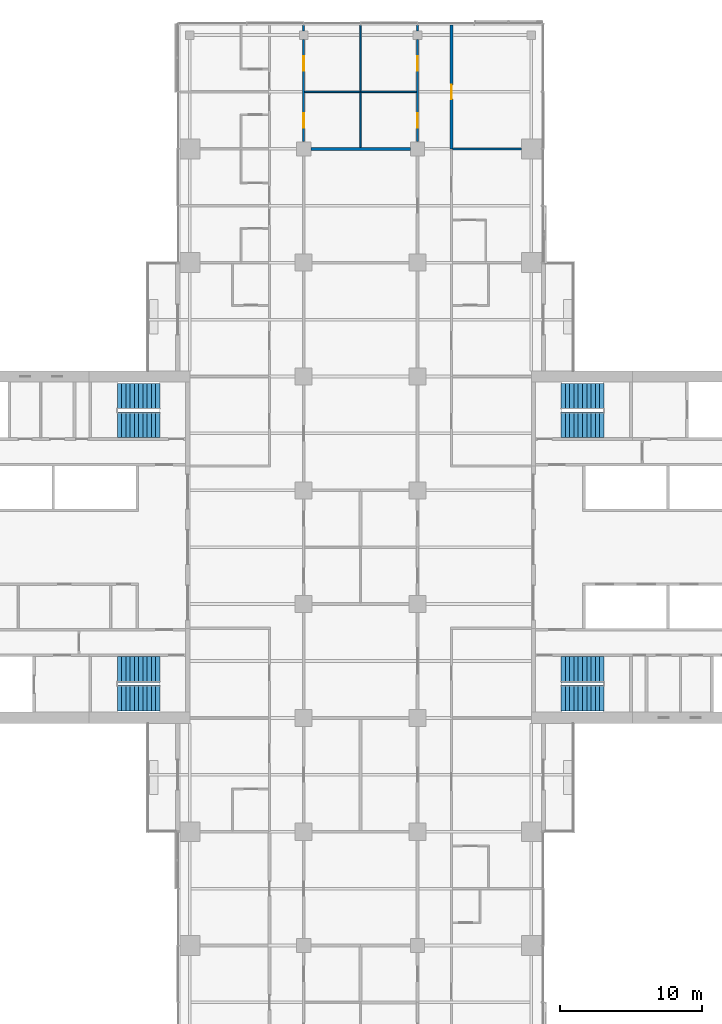
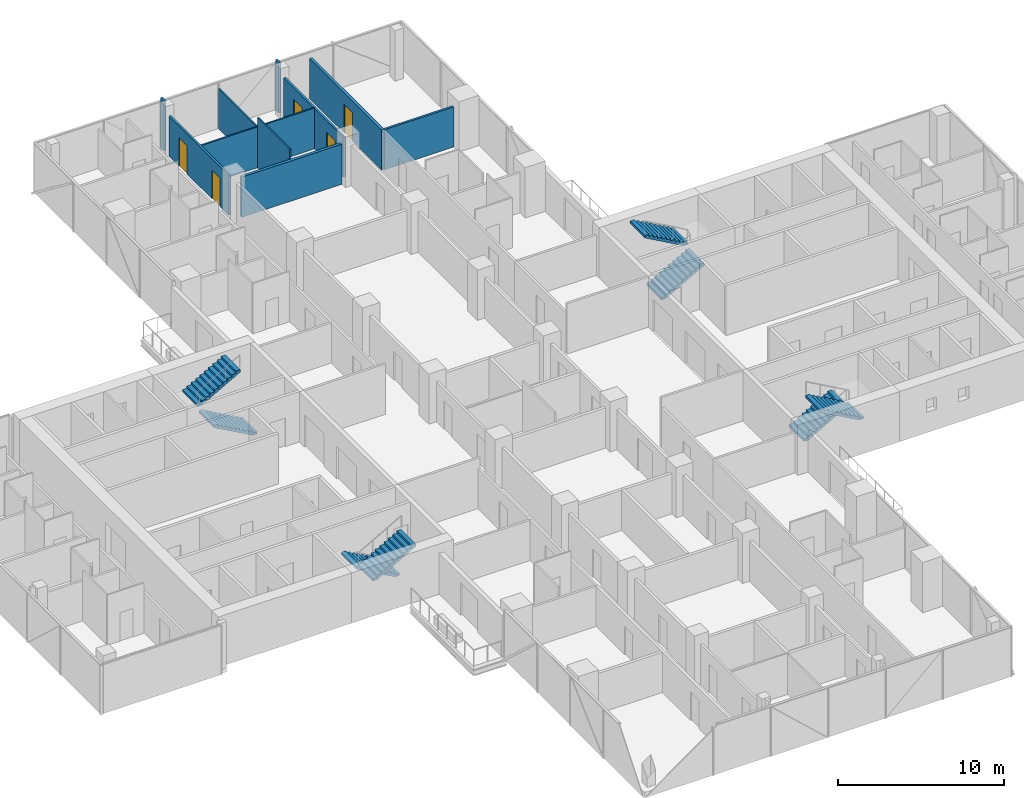
# One storey, part 22 of 27: 10 walls, 8 stair flights, 5 doors, 5 openings, 4 elements without a shape of their own.
"""IFC4 building model written with IfcOpenShell, lengths in metres."""

from ifc_helpers import new_model, si_unit, direction, frame, frame_2d, origin, place, context, subcontext, project, spatial, polyline, rectangle, outline, extrude, material, layer, layer_set, type_object, element, fill, aggregate, save


model = new_model("IFC4")

# Units and contexts
model_context = context("Model", 3, precision=1e-05, world=origin(), true_north=direction((0.0, 1.0)))
body_context = subcontext(model_context, "Body", "Model", "MODEL_VIEW")
ifc_project = project(units=[si_unit("LENGTHUNIT", "METRE"), si_unit("AREAUNIT", "SQUARE_METRE"), si_unit("VOLUMEUNIT", "CUBIC_METRE"), si_unit("PLANEANGLEUNIT", "RADIAN"), si_unit("MASSUNIT", "GRAM", prefix="KILO")], contexts=[model_context])

# Site, building, storey
site_placement = place(None, origin())
site = spatial("IfcSite", under=ifc_project, at=site_placement, CompositionType="ELEMENT")
building_placement = place(site_placement, origin())
building = spatial("IfcBuilding", under=site, at=building_placement, Name="Crosswind Convention Tower", CompositionType="ELEMENT")
storey_placement = place(building_placement, frame((0.0, 0.0, 94.199951171875)))
storey = spatial("IfcBuildingStorey", under=building, at=storey_placement, Name="L18", CompositionType="ELEMENT", Elevation=94.199951171875)

# Wall, openings, doors
ifc_material_1 = material(Name="Plasterboard partition", Category="gypsum")
ifc_layer_1 = layer(ifc_material_1, 0.14990234375)
ifc_layer_set_1 = layer_set([ifc_layer_1], Name="CORRIDOR WALL 150")
wall_type_1 = type_object("IfcWallType", Name="CORRIDOR WALL 150", PredefinedType="PARTITIONING", material=ifc_layer_set_1)
wall_1_placement = place(storey_placement, frame((121.0, 128.5, 0.0), z_axis=(0.0, 0.0, 1.0), x_axis=(0.0, 1.0, 0.0)))
wall_1 = element("IfcWall", 1, at=wall_1_placement, inside=storey, type_object=wall_type_1, Name="Corridor Wall 92", PredefinedType="PARTITIONING", context=body_context, shape_type="SweptSolid", body=[
    extrude(rectangle(XDim=7.199951171875, YDim=0.14990234375, at=frame_2d((3.60009765625, 0.0))), origin(), (0.0, 0.0, 1.0), 2.9599609375),
])
opening_1_placement = place(wall_1_placement, frame((1.0, 0.0, 0.0)))
opening_1 = element("IfcOpeningElement", 2, at=opening_1_placement, cuts=wall_1, Name="Opening 18.064", PredefinedType="OPENING", context=body_context, shape_type="SweptSolid", body=[
    extrude(rectangle(XDim=1.0, YDim=2.10009765625, at=frame_2d((0.5, 1.050048828125))), frame((0.0, 0.0849609375, 0.0), z_axis=(0.0, -1.0, 0.0), x_axis=(1.0, 0.0, 0.0)), (0.0, 0.0, 1.0), 0.169921875),
])
opening_2_placement = place(wall_1_placement, frame((5.0, 0.0, 0.0)))
opening_2 = element("IfcOpeningElement", 3, at=opening_2_placement, cuts=wall_1, Name="Opening 18.065", PredefinedType="OPENING", context=body_context, shape_type="SweptSolid", body=[
    extrude(rectangle(XDim=1.0, YDim=2.10009765625, at=frame_2d((0.5, 1.050048828125))), frame((0.0, 0.0849609375, 0.0), z_axis=(0.0, -1.0, 0.0), x_axis=(1.0, 0.0, 0.0)), (0.0, 0.0, 1.0), 0.169921875),
])
ifc_material_2 = material(Name="Timber fire door", Category="wood")
door_type_1 = type_object("IfcDoorType", Name="SERVICE ROOM DOOR 1000X2100", OperationType="NOTDEFINED", PredefinedType="DOOR", material=ifc_material_2)
door_1_placement = place(opening_1_placement, frame((1.0, 0.0, 0.0), z_axis=(0.0, 0.0, 1.0), x_axis=(-1.0, 0.0, 0.0)))
door_1 = element("IfcDoor", 4, at=door_1_placement, inside=storey, type_object=door_type_1, Name="Door 18.064", ObjectType="D3", OperationType="SINGLE_SWING_RIGHT", OverallHeight=2.10009765625, OverallWidth=1.0, PredefinedType="DOOR", context=body_context, shape_type="SweptSolid", body=[
    extrude(rectangle(XDim=1.0, YDim=2.10009765625, at=frame_2d((0.5, 1.050048828125))), frame((0.0, 0.02490234375, 0.0), z_axis=(0.0, -1.0, 0.0), x_axis=(1.0, 0.0, 0.0)), (0.0, 0.0, 1.0), 0.050048828125),
])
fill(opening_1, door_1)
door_2_placement = place(opening_2_placement, frame((1.0, 0.0, 0.0), z_axis=(0.0, 0.0, 1.0), x_axis=(-1.0, 0.0, 0.0)))
door_2 = element("IfcDoor", 5, at=door_2_placement, inside=storey, type_object=door_type_1, Name="Door 18.065", ObjectType="D3", OperationType="SINGLE_SWING_LEFT", OverallHeight=2.10009765625, OverallWidth=1.0, PredefinedType="DOOR", context=body_context, shape_type="SweptSolid", body=[
    extrude(rectangle(XDim=1.0, YDim=2.10009765625, at=frame_2d((0.5, 1.050048828125))), frame((0.0, 0.02490234375, 0.0), z_axis=(0.0, -1.0, 0.0), x_axis=(1.0, 0.0, 0.0)), (0.0, 0.0, 1.0), 0.050048828125),
])
fill(opening_2, door_2)

# Wall
wall_2_placement = place(storey_placement, frame((121.0, 136.300048828125, 0.0), z_axis=(0.0, 0.0, 1.0), x_axis=(0.0, 1.0, 0.0)))
element("IfcWall", 6, at=wall_2_placement, inside=storey, type_object=wall_type_1, Name="Corridor Wall 93", PredefinedType="PARTITIONING", context=body_context, shape_type="SweptSolid", body=[
    extrude(rectangle(XDim=0.39990234375, YDim=0.14990234375, at=frame_2d((0.199951171875, 0.0))), origin(), (0.0, 0.0, 1.0), 3.699951171875),
])

# Wall, openings, doors
wall_3_placement = place(storey_placement, frame((129.0, 128.5, 0.0), z_axis=(0.0, 0.0, 1.0), x_axis=(0.0, 1.0, 0.0)))
wall_3 = element("IfcWall", 7, at=wall_3_placement, inside=storey, type_object=wall_type_1, Name="Corridor Wall 112", PredefinedType="PARTITIONING", context=body_context, shape_type="SweptSolid", body=[
    extrude(rectangle(XDim=7.199951171875, YDim=0.14990234375, at=frame_2d((3.60009765625, 0.0))), origin(), (0.0, 0.0, 1.0), 2.9599609375),
])
opening_3_placement = place(wall_3_placement, frame((1.0, 0.0, 0.0)))
opening_3 = element("IfcOpeningElement", 8, at=opening_3_placement, cuts=wall_3, Name="Opening 18.066", PredefinedType="OPENING", context=body_context, shape_type="SweptSolid", body=[
    extrude(rectangle(XDim=1.0, YDim=2.10009765625, at=frame_2d((0.5, 1.050048828125))), frame((0.0, 0.0849609375, 0.0), z_axis=(0.0, -1.0, 0.0), x_axis=(1.0, 0.0, 0.0)), (0.0, 0.0, 1.0), 0.169921875),
])
opening_4_placement = place(wall_3_placement, frame((5.0, 0.0, 0.0)))
opening_4 = element("IfcOpeningElement", 9, at=opening_4_placement, cuts=wall_3, Name="Opening 18.067", PredefinedType="OPENING", context=body_context, shape_type="SweptSolid", body=[
    extrude(rectangle(XDim=1.0, YDim=2.10009765625, at=frame_2d((0.5, 1.050048828125))), frame((0.0, 0.0849609375, 0.0), z_axis=(0.0, -1.0, 0.0), x_axis=(1.0, 0.0, 0.0)), (0.0, 0.0, 1.0), 0.169921875),
])
door_3_placement = place(opening_3_placement, origin())
door_3 = element("IfcDoor", 10, at=door_3_placement, inside=storey, type_object=door_type_1, Name="Door 18.066", ObjectType="D3", OperationType="SINGLE_SWING_LEFT", OverallHeight=2.10009765625, OverallWidth=1.0, PredefinedType="DOOR", context=body_context, shape_type="SweptSolid", body=[
    extrude(rectangle(XDim=1.0, YDim=2.10009765625, at=frame_2d((0.5, 1.050048828125))), frame((0.0, 0.02490234375, 0.0), z_axis=(0.0, -1.0, 0.0), x_axis=(1.0, 0.0, 0.0)), (0.0, 0.0, 1.0), 0.050048828125),
])
fill(opening_3, door_3)
door_4_placement = place(opening_4_placement, origin())
door_4 = element("IfcDoor", 11, at=door_4_placement, inside=storey, type_object=door_type_1, Name="Door 18.067", ObjectType="D3", OperationType="SINGLE_SWING_RIGHT", OverallHeight=2.10009765625, OverallWidth=1.0, PredefinedType="DOOR", context=body_context, shape_type="SweptSolid", body=[
    extrude(rectangle(XDim=1.0, YDim=2.10009765625, at=frame_2d((0.5, 1.050048828125))), frame((0.0, 0.02490234375, 0.0), z_axis=(0.0, -1.0, 0.0), x_axis=(1.0, 0.0, 0.0)), (0.0, 0.0, 1.0), 0.050048828125),
])
fill(opening_4, door_4)

# Walls
wall_4_placement = place(storey_placement, frame((129.0, 136.300048828125, 0.0), z_axis=(0.0, 0.0, 1.0), x_axis=(0.0, 1.0, 0.0)))
element("IfcWall", 12, at=wall_4_placement, inside=storey, type_object=wall_type_1, Name="Corridor Wall 113", PredefinedType="PARTITIONING", context=body_context, shape_type="SweptSolid", body=[
    extrude(rectangle(XDim=0.39990234375, YDim=0.14990234375, at=frame_2d((0.199951171875, 0.0))), origin(), (0.0, 0.0, 1.0), 3.699951171875),
])
ifc_material_3 = material(Name="Acoustic plasterboard partition", Category="gypsum")
ifc_layer_2 = layer(ifc_material_3, 0.14990234375)
ifc_layer_set_2 = layer_set([ifc_layer_2], Name="GUEST ROOM WALL 150")
wall_type_2 = type_object("IfcWallType", Name="GUEST ROOM WALL 150", PredefinedType="PARTITIONING", material=ifc_layer_set_2)
wall_5_placement = place(storey_placement, frame((131.47509765625, 128.0, 0.0), z_axis=(0.0, 0.0, 1.0), x_axis=(1.0, 0.0, 0.0)))
element("IfcWall", 13, at=wall_5_placement, inside=storey, type_object=wall_type_2, Name="Guest Room Wall 61", PredefinedType="PARTITIONING", context=body_context, shape_type="SweptSolid", body=[
    extrude(rectangle(XDim=4.824951171875, YDim=0.14990234375, at=frame_2d((2.41259765625, 0.0))), origin(), (0.0, 0.0, 1.0), 2.9599609375),
])
ifc_material_4 = material(Name="Double plasterboard partition", Category="gypsum")
ifc_layer_3 = layer(ifc_material_4, 0.199951171875)
ifc_layer_set_3 = layer_set([ifc_layer_3], Name="HALL WALL 200")
wall_type_3 = type_object("IfcWallType", Name="HALL WALL 200", PredefinedType="PARTITIONING", material=ifc_layer_set_3)
wall_6_placement = place(storey_placement, frame((121.5, 128.0, 0.0), z_axis=(0.0, 0.0, 1.0), x_axis=(1.0, 0.0, 0.0)))
element("IfcWall", 14, at=wall_6_placement, inside=storey, type_object=wall_type_3, Name="Hall Wall 60", PredefinedType="PARTITIONING", context=body_context, shape_type="SweptSolid", body=[
    extrude(rectangle(XDim=7.0, YDim=0.199951171875, at=frame_2d((3.5, 0.0))), origin(), (0.0, 0.0, 1.0), 2.9599609375),
])

# Wall, opening, door
wall_7_placement = place(storey_placement, frame((131.39990234375, 128.0, 0.0), z_axis=(0.0, 0.0, 1.0), x_axis=(0.0, 1.0, 0.0)))
wall_7 = element("IfcWall", 15, at=wall_7_placement, inside=storey, type_object=wall_type_3, Name="Hall Wall 118", PredefinedType="PARTITIONING", context=body_context, shape_type="SweptSolid", body=[
    extrude(rectangle(XDim=8.699951171875, YDim=0.199951171875, at=frame_2d((4.35009765625, 0.0))), origin(), (0.0, 0.0, 1.0), 2.9599609375),
])
opening_5_placement = place(wall_7_placement, frame((3.5, 0.0, 0.0)))
opening_5 = element("IfcOpeningElement", 16, at=opening_5_placement, cuts=wall_7, Name="Opening 18.009", PredefinedType="OPENING", context=body_context, shape_type="SweptSolid", body=[
    extrude(rectangle(XDim=1.0, YDim=2.10009765625, at=frame_2d((0.5, 1.050048828125))), frame((0.0, 0.10986328125, 0.0), z_axis=(0.0, -1.0, 0.0), x_axis=(1.0, 0.0, 0.0)), (0.0, 0.0, 1.0), 0.219970703125),
])
door_type_2 = type_object("IfcDoorType", Name="MEETING ROOM DOOR 1000X2100", OperationType="NOTDEFINED", PredefinedType="DOOR", material=ifc_material_2)
door_5_placement = place(opening_5_placement, origin())
door_5 = element("IfcDoor", 17, at=door_5_placement, inside=storey, type_object=door_type_2, Name="Door 18.009", ObjectType="D13", OperationType="SINGLE_SWING_RIGHT", OverallHeight=2.10009765625, OverallWidth=1.0, PredefinedType="DOOR", context=body_context, shape_type="SweptSolid", body=[
    extrude(rectangle(XDim=1.0, YDim=2.10009765625, at=frame_2d((0.5, 1.050048828125))), frame((0.0, 0.02490234375, 0.0), z_axis=(0.0, -1.0, 0.0), x_axis=(1.0, 0.0, 0.0)), (0.0, 0.0, 1.0), 0.050048828125),
])
fill(opening_5, door_5)

# Walls
ifc_layer_4 = layer(ifc_material_1, 0.10009765625)
ifc_layer_set_4 = layer_set([ifc_layer_4], Name="PARTITION 100")
wall_type_4 = type_object("IfcWallType", Name="PARTITION 100", PredefinedType="PARTITIONING", material=ifc_layer_set_4)
wall_8_placement = place(storey_placement, frame((121.074951171875, 132.0, 0.0), z_axis=(0.0, 0.0, 1.0), x_axis=(1.0, 0.0, 0.0)))
element("IfcWall", 18, at=wall_8_placement, inside=storey, type_object=wall_type_4, Name="Partition 64", PredefinedType="PARTITIONING", context=body_context, shape_type="SweptSolid", body=[
    extrude(rectangle(XDim=7.85009765625, YDim=0.10009765625, at=frame_2d((3.925048828125, 0.0))), origin(), (0.0, 0.0, 1.0), 3.013671875),
])
wall_9_placement = place(storey_placement, frame((125.0, 128.10009765625, 0.0), z_axis=(0.0, 0.0, 1.0), x_axis=(0.0, 1.0, 0.0)))
element("IfcWall", 19, at=wall_9_placement, inside=storey, type_object=wall_type_4, Name="Partition 99", PredefinedType="PARTITIONING", context=body_context, shape_type="SweptSolid", body=[
    extrude(rectangle(XDim=3.849853515625, YDim=0.10009765625, at=frame_2d((1.9248046875, 0.0))), origin(), (0.0, 0.0, 1.0), 3.699951171875),
])
wall_10_placement = place(storey_placement, frame((125.0, 132.050048828125, 0.0), z_axis=(0.0, 0.0, 1.0), x_axis=(0.0, 1.0, 0.0)))
element("IfcWall", 20, at=wall_10_placement, inside=storey, type_object=wall_type_4, Name="Partition 100", PredefinedType="PARTITIONING", context=body_context, shape_type="SweptSolid", body=[
    extrude(rectangle(XDim=4.64990234375, YDim=0.10009765625, at=frame_2d((2.324951171875, 0.0))), origin(), (0.0, 0.0, 1.0), 2.962890625),
])

# Stair, stair flights
ifc_material_5 = material(Name="Concrete C40/50", Category="concrete")
stair_type = type_object("IfcStairType", Name="Exit stair 1800 wide, 2 flights of 11 risers", PredefinedType="HALF_TURN_STAIR", material=ifc_material_5)
stair_1_placement = place(storey_placement, origin())
stair_1 = element("IfcStair", 21, at=stair_1_placement, inside=storey, type_object=stair_type, Name="Exit stair ST1 L18", ObjectType="ST5", PredefinedType="HALF_TURN_STAIR")
stair_flight_type = type_object("IfcStairFlightType", Name="Stair flight 1800 wide, 11 risers (SF3)", PredefinedType="STRAIGHT", material=ifc_material_5)
stair_flight_1_placement = place(storey_placement, frame((139.10009765625, 108.60009765625, 0.0), z_axis=(0.0, 0.0, 1.0), x_axis=(1.0, 0.0, 0.0)))
stair_flight_1 = element("IfcStairFlight", 22, at=stair_flight_1_placement, type_object=stair_flight_type, Name="ST1 flight 1", NumberOfRisers=11, NumberOfTreads=10, PredefinedType="STRAIGHT", RiserHeight=0.168181818, TreadLength=0.3, context=body_context, shape_type="SweptSolid", body=[
    extrude(outline(polyline([(0.0, 0.0), (0.0, 0.168212890625), (0.300048828125, 0.168212890625), (0.300048828125, 0.33642578125), (0.60009765625, 0.33642578125), (0.60009765625, 0.504638671875), (0.89990234375, 0.504638671875), (0.89990234375, 0.672607421875), (1.199951171875, 0.672607421875), (1.199951171875, 0.8408203125), (1.5, 0.8408203125), (1.5, 1.009033203125), (1.800048828125, 1.009033203125), (1.800048828125, 1.17724609375), (2.10009765625, 1.17724609375), (2.10009765625, 1.345458984375), (2.39990234375, 1.345458984375), (2.39990234375, 1.513671875), (2.699951171875, 1.513671875), (2.699951171875, 1.681884765625), (3.0, 1.681884765625), (3.0, 1.85009765625), (3.0, 1.510009765625), (0.306640625, 0.0), (0.0, 0.0)])), frame((0.0, 0.89990234375, 0.0), z_axis=(0.0, -1.0, 0.0), x_axis=(1.0, 0.0, 0.0)), (0.0, 0.0, 1.0), 1.800048828125),
])
stair_flight_2_placement = place(storey_placement, frame((142.10009765625, 110.60009765625, 1.85009765625), z_axis=(0.0, 0.0, 1.0), x_axis=(-1.0, 0.0, 0.0)))
stair_flight_2 = element("IfcStairFlight", 23, at=stair_flight_2_placement, type_object=stair_flight_type, Name="ST1 flight 2", NumberOfRisers=11, NumberOfTreads=10, PredefinedType="STRAIGHT", RiserHeight=0.168181818, TreadLength=0.3, context=body_context, shape_type="SweptSolid", body=[
    extrude(outline(polyline([(0.0, 0.0), (0.0, 0.168212890625), (0.300048828125, 0.168212890625), (0.300048828125, 0.33642578125), (0.60009765625, 0.33642578125), (0.60009765625, 0.504638671875), (0.89990234375, 0.504638671875), (0.89990234375, 0.672607421875), (1.199951171875, 0.672607421875), (1.199951171875, 0.8408203125), (1.5, 0.8408203125), (1.5, 1.009033203125), (1.800048828125, 1.009033203125), (1.800048828125, 1.17724609375), (2.10009765625, 1.17724609375), (2.10009765625, 1.345458984375), (2.39990234375, 1.345458984375), (2.39990234375, 1.513671875), (2.699951171875, 1.513671875), (2.699951171875, 1.681884765625), (3.0, 1.681884765625), (3.0, 1.85009765625), (3.0, 1.510009765625), (0.306640625, 0.0), (0.0, 0.0)])), frame((0.0, 0.89990234375, 0.0), z_axis=(0.0, -1.0, 0.0), x_axis=(1.0, 0.0, 0.0)), (0.0, 0.0, 1.0), 1.800048828125),
])
aggregate(stair_1, [stair_flight_1, stair_flight_2])

stair_2_placement = place(storey_placement, origin())
stair_2 = element("IfcStair", 24, at=stair_2_placement, inside=storey, type_object=stair_type, Name="Exit stair ST2 L18", ObjectType="ST5", PredefinedType="HALF_TURN_STAIR")
stair_flight_3_placement = place(storey_placement, frame((139.10009765625, 91.39990234375, 0.0), z_axis=(0.0, 0.0, 1.0), x_axis=(1.0, 0.0, 0.0)))
stair_flight_3 = element("IfcStairFlight", 25, at=stair_flight_3_placement, type_object=stair_flight_type, Name="ST2 flight 1", NumberOfRisers=11, NumberOfTreads=10, PredefinedType="STRAIGHT", RiserHeight=0.168181818, TreadLength=0.3, context=body_context, shape_type="SweptSolid", body=[
    extrude(outline(polyline([(0.0, 0.0), (0.0, 0.168212890625), (0.300048828125, 0.168212890625), (0.300048828125, 0.33642578125), (0.60009765625, 0.33642578125), (0.60009765625, 0.504638671875), (0.89990234375, 0.504638671875), (0.89990234375, 0.672607421875), (1.199951171875, 0.672607421875), (1.199951171875, 0.8408203125), (1.5, 0.8408203125), (1.5, 1.009033203125), (1.800048828125, 1.009033203125), (1.800048828125, 1.17724609375), (2.10009765625, 1.17724609375), (2.10009765625, 1.345458984375), (2.39990234375, 1.345458984375), (2.39990234375, 1.513671875), (2.699951171875, 1.513671875), (2.699951171875, 1.681884765625), (3.0, 1.681884765625), (3.0, 1.85009765625), (3.0, 1.510009765625), (0.306640625, 0.0), (0.0, 0.0)])), frame((0.0, 0.89990234375, 0.0), z_axis=(0.0, -1.0, 0.0), x_axis=(1.0, 0.0, 0.0)), (0.0, 0.0, 1.0), 1.800048828125),
])
stair_flight_4_placement = place(storey_placement, frame((142.10009765625, 89.39990234375, 1.85009765625), z_axis=(0.0, 0.0, 1.0), x_axis=(-1.0, 0.0, 0.0)))
stair_flight_4 = element("IfcStairFlight", 26, at=stair_flight_4_placement, type_object=stair_flight_type, Name="ST2 flight 2", NumberOfRisers=11, NumberOfTreads=10, PredefinedType="STRAIGHT", RiserHeight=0.168181818, TreadLength=0.3, context=body_context, shape_type="SweptSolid", body=[
    extrude(outline(polyline([(0.0, 0.0), (0.0, 0.168212890625), (0.300048828125, 0.168212890625), (0.300048828125, 0.33642578125), (0.60009765625, 0.33642578125), (0.60009765625, 0.504638671875), (0.89990234375, 0.504638671875), (0.89990234375, 0.672607421875), (1.199951171875, 0.672607421875), (1.199951171875, 0.8408203125), (1.5, 0.8408203125), (1.5, 1.009033203125), (1.800048828125, 1.009033203125), (1.800048828125, 1.17724609375), (2.10009765625, 1.17724609375), (2.10009765625, 1.345458984375), (2.39990234375, 1.345458984375), (2.39990234375, 1.513671875), (2.699951171875, 1.513671875), (2.699951171875, 1.681884765625), (3.0, 1.681884765625), (3.0, 1.85009765625), (3.0, 1.510009765625), (0.306640625, 0.0), (0.0, 0.0)])), frame((0.0, 0.89990234375, 0.0), z_axis=(0.0, -1.0, 0.0), x_axis=(1.0, 0.0, 0.0)), (0.0, 0.0, 1.0), 1.800048828125),
])
aggregate(stair_2, [stair_flight_3, stair_flight_4])

stair_3_placement = place(storey_placement, origin())
stair_3 = element("IfcStair", 27, at=stair_3_placement, inside=storey, type_object=stair_type, Name="Exit stair ST3 L18", ObjectType="ST5", PredefinedType="HALF_TURN_STAIR")
stair_flight_5_placement = place(storey_placement, frame((110.89990234375, 91.39990234375, 0.0), z_axis=(0.0, 0.0, 1.0), x_axis=(-1.0, 0.0, 0.0)))
stair_flight_5 = element("IfcStairFlight", 28, at=stair_flight_5_placement, type_object=stair_flight_type, Name="ST3 flight 1", NumberOfRisers=11, NumberOfTreads=10, PredefinedType="STRAIGHT", RiserHeight=0.168181818, TreadLength=0.3, context=body_context, shape_type="SweptSolid", body=[
    extrude(outline(polyline([(0.0, 0.0), (0.0, 0.168212890625), (0.300048828125, 0.168212890625), (0.300048828125, 0.33642578125), (0.60009765625, 0.33642578125), (0.60009765625, 0.504638671875), (0.89990234375, 0.504638671875), (0.89990234375, 0.672607421875), (1.199951171875, 0.672607421875), (1.199951171875, 0.8408203125), (1.5, 0.8408203125), (1.5, 1.009033203125), (1.800048828125, 1.009033203125), (1.800048828125, 1.17724609375), (2.10009765625, 1.17724609375), (2.10009765625, 1.345458984375), (2.39990234375, 1.345458984375), (2.39990234375, 1.513671875), (2.699951171875, 1.513671875), (2.699951171875, 1.681884765625), (3.0, 1.681884765625), (3.0, 1.85009765625), (3.0, 1.510009765625), (0.306640625, 0.0), (0.0, 0.0)])), frame((0.0, 0.89990234375, 0.0), z_axis=(0.0, -1.0, 0.0), x_axis=(1.0, 0.0, 0.0)), (0.0, 0.0, 1.0), 1.800048828125),
])
stair_flight_6_placement = place(storey_placement, frame((107.89990234375, 89.39990234375, 1.85009765625), z_axis=(0.0, 0.0, 1.0), x_axis=(1.0, 0.0, 0.0)))
stair_flight_6 = element("IfcStairFlight", 29, at=stair_flight_6_placement, type_object=stair_flight_type, Name="ST3 flight 2", NumberOfRisers=11, NumberOfTreads=10, PredefinedType="STRAIGHT", RiserHeight=0.168181818, TreadLength=0.3, context=body_context, shape_type="SweptSolid", body=[
    extrude(outline(polyline([(0.0, 0.0), (0.0, 0.168212890625), (0.300048828125, 0.168212890625), (0.300048828125, 0.33642578125), (0.60009765625, 0.33642578125), (0.60009765625, 0.504638671875), (0.89990234375, 0.504638671875), (0.89990234375, 0.672607421875), (1.199951171875, 0.672607421875), (1.199951171875, 0.8408203125), (1.5, 0.8408203125), (1.5, 1.009033203125), (1.800048828125, 1.009033203125), (1.800048828125, 1.17724609375), (2.10009765625, 1.17724609375), (2.10009765625, 1.345458984375), (2.39990234375, 1.345458984375), (2.39990234375, 1.513671875), (2.699951171875, 1.513671875), (2.699951171875, 1.681884765625), (3.0, 1.681884765625), (3.0, 1.85009765625), (3.0, 1.510009765625), (0.306640625, 0.0), (0.0, 0.0)])), frame((0.0, 0.89990234375, 0.0), z_axis=(0.0, -1.0, 0.0), x_axis=(1.0, 0.0, 0.0)), (0.0, 0.0, 1.0), 1.800048828125),
])
aggregate(stair_3, [stair_flight_5, stair_flight_6])

stair_4_placement = place(storey_placement, origin())
stair_4 = element("IfcStair", 30, at=stair_4_placement, inside=storey, type_object=stair_type, Name="Exit stair ST4 L18", ObjectType="ST5", PredefinedType="HALF_TURN_STAIR")
stair_flight_7_placement = place(storey_placement, frame((110.89990234375, 108.60009765625, 0.0), z_axis=(0.0, 0.0, 1.0), x_axis=(-1.0, 0.0, 0.0)))
stair_flight_7 = element("IfcStairFlight", 31, at=stair_flight_7_placement, type_object=stair_flight_type, Name="ST4 flight 1", NumberOfRisers=11, NumberOfTreads=10, PredefinedType="STRAIGHT", RiserHeight=0.168181818, TreadLength=0.3, context=body_context, shape_type="SweptSolid", body=[
    extrude(outline(polyline([(0.0, 0.0), (0.0, 0.168212890625), (0.300048828125, 0.168212890625), (0.300048828125, 0.33642578125), (0.60009765625, 0.33642578125), (0.60009765625, 0.504638671875), (0.89990234375, 0.504638671875), (0.89990234375, 0.672607421875), (1.199951171875, 0.672607421875), (1.199951171875, 0.8408203125), (1.5, 0.8408203125), (1.5, 1.009033203125), (1.800048828125, 1.009033203125), (1.800048828125, 1.17724609375), (2.10009765625, 1.17724609375), (2.10009765625, 1.345458984375), (2.39990234375, 1.345458984375), (2.39990234375, 1.513671875), (2.699951171875, 1.513671875), (2.699951171875, 1.681884765625), (3.0, 1.681884765625), (3.0, 1.85009765625), (3.0, 1.510009765625), (0.306640625, 0.0), (0.0, 0.0)])), frame((0.0, 0.89990234375, 0.0), z_axis=(0.0, -1.0, 0.0), x_axis=(1.0, 0.0, 0.0)), (0.0, 0.0, 1.0), 1.800048828125),
])
stair_flight_8_placement = place(storey_placement, frame((107.89990234375, 110.60009765625, 1.85009765625), z_axis=(0.0, 0.0, 1.0), x_axis=(1.0, 0.0, 0.0)))
stair_flight_8 = element("IfcStairFlight", 32, at=stair_flight_8_placement, type_object=stair_flight_type, Name="ST4 flight 2", NumberOfRisers=11, NumberOfTreads=10, PredefinedType="STRAIGHT", RiserHeight=0.168181818, TreadLength=0.3, context=body_context, shape_type="SweptSolid", body=[
    extrude(outline(polyline([(0.0, 0.0), (0.0, 0.168212890625), (0.300048828125, 0.168212890625), (0.300048828125, 0.33642578125), (0.60009765625, 0.33642578125), (0.60009765625, 0.504638671875), (0.89990234375, 0.504638671875), (0.89990234375, 0.672607421875), (1.199951171875, 0.672607421875), (1.199951171875, 0.8408203125), (1.5, 0.8408203125), (1.5, 1.009033203125), (1.800048828125, 1.009033203125), (1.800048828125, 1.17724609375), (2.10009765625, 1.17724609375), (2.10009765625, 1.345458984375), (2.39990234375, 1.345458984375), (2.39990234375, 1.513671875), (2.699951171875, 1.513671875), (2.699951171875, 1.681884765625), (3.0, 1.681884765625), (3.0, 1.85009765625), (3.0, 1.510009765625), (0.306640625, 0.0), (0.0, 0.0)])), frame((0.0, 0.89990234375, 0.0), z_axis=(0.0, -1.0, 0.0), x_axis=(1.0, 0.0, 0.0)), (0.0, 0.0, 1.0), 1.800048828125),
])
aggregate(stair_4, [stair_flight_7, stair_flight_8])

save(model, "model.ifc")
